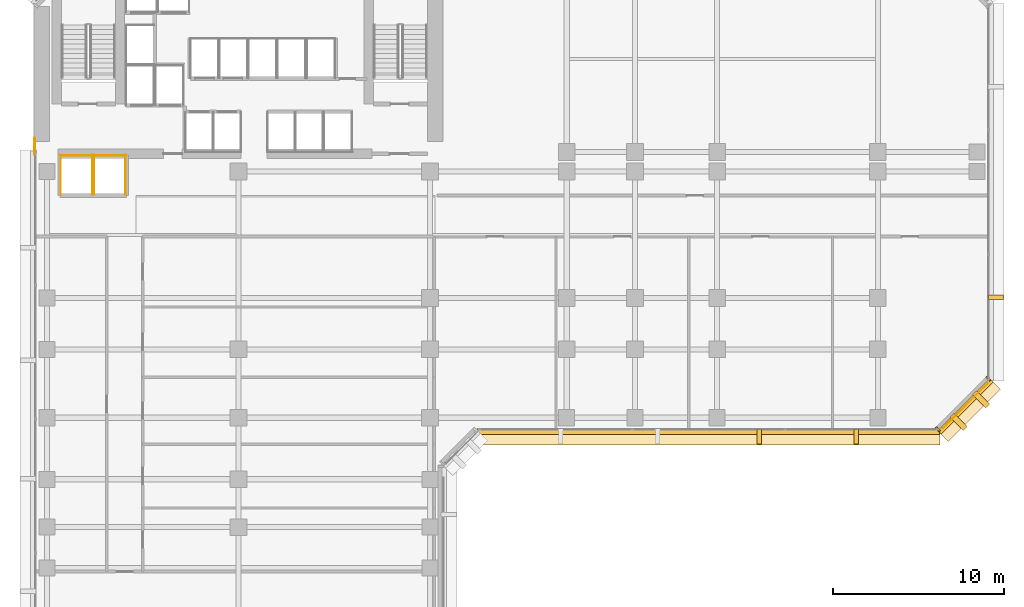
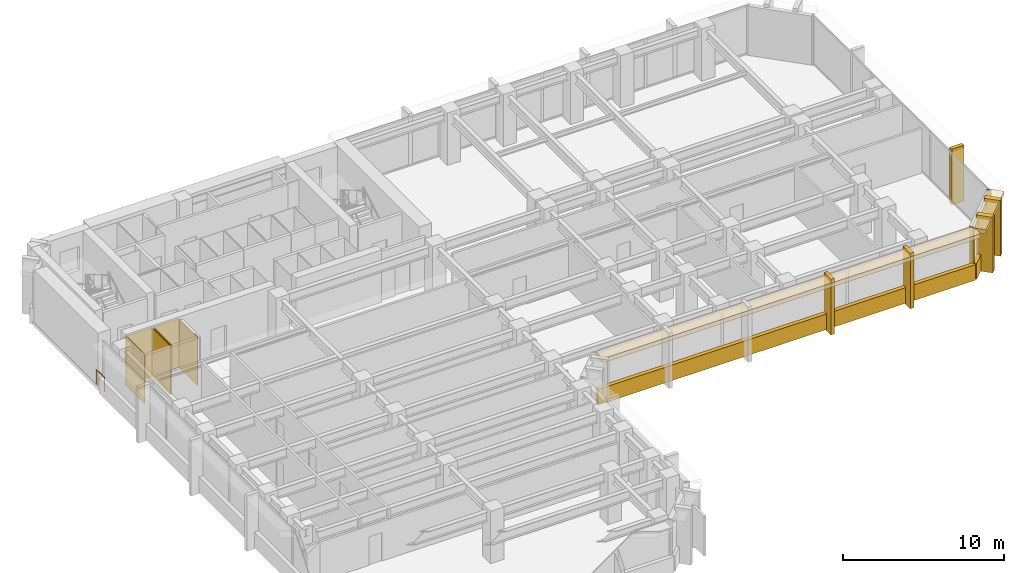
# One storey, part 10 of 13: 18 coverings, 1 railing.
"""IFC4 building model written with IfcOpenShell, lengths in metres."""

from ifc_helpers import new_model, si_unit, direction, frame, origin, origin_2d, place, context, subcontext, project, spatial, polyline, rectangle, circle, outline, extrude, material, layer, layer_set, type_object, element, save


model = new_model("IFC4")

# Units and contexts
model_context = context("Model", 3, precision=1e-05, world=origin(), true_north=direction((0.0, 1.0)))
body_context = subcontext(model_context, "Body", "Model", "MODEL_VIEW")
ifc_project = project(units=[si_unit("LENGTHUNIT", "METRE"), si_unit("AREAUNIT", "SQUARE_METRE"), si_unit("VOLUMEUNIT", "CUBIC_METRE"), si_unit("PLANEANGLEUNIT", "RADIAN"), si_unit("MASSUNIT", "GRAM", prefix="KILO")], contexts=[model_context])

# Site, building, storey
site_placement = place(None, origin())
site = spatial("IfcSite", under=ifc_project, at=site_placement, CompositionType="ELEMENT")
building_placement = place(site_placement, origin())
building = spatial("IfcBuilding", under=site, at=building_placement, Name="Kefirva Bronze Tower", CompositionType="ELEMENT")
storey_placement = place(building_placement, frame((0.0, 0.0, 85.800048828125)))
storey = spatial("IfcBuildingStorey", under=building, at=storey_placement, Name="L20", CompositionType="ELEMENT", Elevation=85.800048828125)

# Coverings
ifc_material_1 = material(Name="Bronze anodised aluminium", Category="aluminium")
ifc_layer_1 = layer(ifc_material_1, 0.02001953125, Name="Bronze anodised aluminium")
ifc_layer_set_1 = layer_set([ifc_layer_1], Name="Bronze anodised aluminium")
covering_type_1 = type_object("IfcCoveringType", Name="Anodised Bronze Spandrel Cladding 20mm", PredefinedType="CLADDING", material=ifc_layer_set_1)
covering_1_placement = place(storey_placement, frame((39.5, 17.9599609375, -0.16015625), z_axis=(0.0, 0.0, 1.0), x_axis=(1.0, 0.0, 0.0)))
element("IfcCovering", 1, at=covering_1_placement, inside=storey, type_object=covering_type_1, Name="L20 Streamline Horizontal Spandrel Band 4", PredefinedType="CLADDING", context=body_context, shape_type="SweptSolid", body=[
    extrude(rectangle(XDim=27.0400390625, YDim=0.280029296875, at=origin_2d()), origin(), (0.0, 0.0, 1.0), 1.179931640625),
])
covering_2_placement = place(storey_placement, frame((54.507080078125, 19.492919921875, 3.2900390625), z_axis=(0.0, 0.0, 1.0), x_axis=(0.707106781187, 0.707106781187, 0.0)))
element("IfcCovering", 2, at=covering_2_placement, inside=storey, type_object=covering_type_1, Name="L20 Bronze Spandrel Cladding 4", PredefinedType="CLADDING", context=body_context, shape_type="SweptSolid", body=[
    extrude(rectangle(XDim=3.719482421875, YDim=0.02001953125, at=origin_2d()), origin(), (0.0, 0.0, 1.0), 0.39990234375),
])
for number, where, z_axis, x_axis, name in (
    (3, (52.91162109375, 18.137939453125, 0.0), (0.0, 0.0, 1.0), (0.707106781187, 0.707106781187, 0.0), "L20 Facade Joint Closure Panel 4S"),
    (4, (55.862060546875, 21.08837890625, 0.0), (0.0, 0.0, 1.0), (0.707106781187, 0.707106781187, 0.0), "L20 Facade Joint Closure Panel 4E"),
):
    element("IfcCovering", number, at=place(storey_placement, frame(where, z_axis=z_axis, x_axis=x_axis)), inside=storey, type_object=covering_type_1, Name=name, PredefinedType="CLADDING", context=body_context, shape_type="SweptSolid", body=[
        extrude(rectangle(XDim=0.10009765625, YDim=0.320068359375, at=origin_2d()), origin(), (0.0, 0.0, 1.0), 3.7099609375),
    ])
covering_3_placement = place(storey_placement, frame((54.5283203125, 19.4716796875, -0.16015625), z_axis=(0.0, 0.0, 1.0), x_axis=(0.707106781187, 0.707106781187, 0.0)))
element("IfcCovering", 5, at=covering_3_placement, inside=storey, type_object=covering_type_1, Name="L20 Streamline Horizontal Spandrel Band 5", PredefinedType="CLADDING", context=body_context, shape_type="SweptSolid", body=[
    extrude(rectangle(XDim=4.28271484375, YDim=0.280029296875, at=origin_2d()), origin(), (0.0, 0.0, 1.0), 1.179931640625),
])
covering_4_placement = place(storey_placement, origin())
element("IfcCovering", 6, at=covering_4_placement, inside=storey, type_object=covering_type_1, Name="L20 Lift OB1 Hoistway Liner N", PredefinedType="CLADDING", context=body_context, shape_type="SweptSolid", body=[
    extrude(outline(polyline([(1.580078125, 34.139892578125), (3.469970703125, 34.139892578125), (3.469970703125, 34.159912109375), (1.580078125, 34.159912109375), (1.580078125, 34.139892578125)])), origin(), (0.0, 0.0, 1.0), 3.7099609375),
])
covering_5_placement = place(storey_placement, origin())
element("IfcCovering", 7, at=covering_5_placement, inside=storey, type_object=covering_type_1, Name="L20 Lift OB1 Hoistway Liner W", PredefinedType="CLADDING", context=body_context, shape_type="SweptSolid", body=[
    extrude(outline(polyline([(1.590087890625, 31.830078125), (1.610107421875, 31.830078125), (1.610107421875, 34.169921875), (1.590087890625, 34.169921875), (1.590087890625, 31.830078125)])), origin(), (0.0, 0.0, 1.0), 3.7099609375),
])
covering_6_placement = place(storey_placement, origin())
element("IfcCovering", 8, at=covering_6_placement, inside=storey, type_object=covering_type_1, Name="L20 Lift OB1 Hoistway Liner E", PredefinedType="CLADDING", context=body_context, shape_type="SweptSolid", body=[
    extrude(outline(polyline([(3.43994140625, 31.830078125), (3.4599609375, 31.830078125), (3.4599609375, 34.169921875), (3.43994140625, 34.169921875), (3.43994140625, 31.830078125)])), origin(), (0.0, 0.0, 1.0), 3.7099609375),
])
covering_7_placement = place(storey_placement, origin())
element("IfcCovering", 9, at=covering_7_placement, inside=storey, type_object=covering_type_1, Name="L20 Lift OB2 Hoistway Liner N", PredefinedType="CLADDING", context=body_context, shape_type="SweptSolid", body=[
    extrude(outline(polyline([(3.530029296875, 34.139892578125), (5.419921875, 34.139892578125), (5.419921875, 34.159912109375), (3.530029296875, 34.159912109375), (3.530029296875, 34.139892578125)])), origin(), (0.0, 0.0, 1.0), 3.7099609375),
])
covering_8_placement = place(storey_placement, origin())
element("IfcCovering", 10, at=covering_8_placement, inside=storey, type_object=covering_type_1, Name="L20 Lift OB2 Hoistway Liner W", PredefinedType="CLADDING", context=body_context, shape_type="SweptSolid", body=[
    extrude(outline(polyline([(3.5400390625, 31.830078125), (3.56005859375, 31.830078125), (3.56005859375, 34.169921875), (3.5400390625, 34.169921875), (3.5400390625, 31.830078125)])), origin(), (0.0, 0.0, 1.0), 3.7099609375),
])
covering_9_placement = place(storey_placement, origin())
element("IfcCovering", 11, at=covering_9_placement, inside=storey, type_object=covering_type_1, Name="L20 Lift OB2 Hoistway Liner E", PredefinedType="CLADDING", context=body_context, shape_type="SweptSolid", body=[
    extrude(outline(polyline([(5.389892578125, 31.830078125), (5.409912109375, 31.830078125), (5.409912109375, 34.169921875), (5.389892578125, 34.169921875), (5.389892578125, 31.830078125)])), origin(), (0.0, 0.0, 1.0), 3.7099609375),
])

# Railing
ifc_material_2 = material(Name="Stainless steel 316", Category="steel")
railing_type = type_object("IfcRailingType", Name="Interior Stair Guardrail 1100mm", PredefinedType="GUARDRAIL", material=ifc_material_2)
railing_placement = place(storey_placement, frame((0.080078125, 34.199951171875, 0.0)))
element("IfcRailing", 12, at=railing_placement, inside=storey, type_object=railing_type, Name="L20 West Core Junction Guardrail", PredefinedType="GUARDRAIL", context=body_context, shape_type="SweptSolid", body=[
    extrude(circle(Radius=0.02392578125, at=origin_2d()), frame((0.0, 0.0, 1.076171875), z_axis=(0.0, 1.0, 0.0), x_axis=(-1.0, 0.0, 0.0)), (0.0, 0.0, 1.0), 0.949951171875),
    extrude(circle(Radius=0.02099609375, at=origin_2d()), origin(), (0.0, 0.0, 1.0), 1.052001953125),
    extrude(circle(Radius=0.02099609375, at=origin_2d()), frame((0.0, 0.949951171875, 0.0)), (0.0, 0.0, 1.0), 1.052001953125),
])

# Coverings
ifc_layer_2 = layer(ifc_material_1, 0.179931640625, Name="Bronze anodised aluminium")
ifc_layer_set_2 = layer_set([ifc_layer_2], Name="Bronze anodised aluminium")
covering_type_2 = type_object("IfcCoveringType", Name="Streamline Bronze Sunshade Eyebrow Cladding 180mm", PredefinedType="CLADDING", material=ifc_layer_set_2)
covering_10_placement = place(storey_placement, frame((39.5, 17.68994140625, 3.39013671875), z_axis=(0.0, 0.0, 1.0), x_axis=(1.0, 0.0, 0.0)))
element("IfcCovering", 13, at=covering_10_placement, inside=storey, type_object=covering_type_2, Name="L20 Streamline Bronze Sunshade Eyebrow 4", PredefinedType="CLADDING", context=body_context, shape_type="SweptSolid", body=[
    extrude(rectangle(XDim=27.080078125, YDim=0.93994140625, at=origin_2d()), origin(), (0.0, 0.0, 1.0), 0.320068359375),
])
covering_11_placement = place(storey_placement, frame((54.71923828125, 19.28076171875, 3.39013671875), z_axis=(0.0, 0.0, 1.0), x_axis=(0.707106781187, 0.707106781187, 0.0)))
element("IfcCovering", 14, at=covering_11_placement, inside=storey, type_object=covering_type_2, Name="L20 Streamline Bronze Sunshade Eyebrow 5", PredefinedType="CLADDING", context=body_context, shape_type="SweptSolid", body=[
    extrude(rectangle(XDim=4.322509765625, YDim=0.93994140625, at=origin_2d()), origin(), (0.0, 0.0, 1.0), 0.320068359375),
])
ifc_layer_3 = layer(ifc_material_1, 0.260009765625, Name="Bronze anodised aluminium")
ifc_layer_set_3 = layer_set([ifc_layer_3], Name="Bronze anodised aluminium")
covering_type_3 = type_object("IfcCoveringType", Name="Unbroken Bronze Buttress Fin Cladding 260mm", PredefinedType="CLADDING", material=ifc_layer_set_3)
for number, where, z_axis, x_axis, name in (
    (15, (42.469970703125, 17.699951171875, -0.25), (0.0, 0.0, 1.0), (1.0, 0.0, 0.0), "L20 Unbroken Vertical Bronze Rib Fin 11"),
    (16, (48.139892578125, 17.699951171875, -0.25), (0.0, 0.0, 1.0), (1.0, 0.0, 0.0), "L20 Unbroken Vertical Bronze Rib Fin 12"),
):
    element("IfcCovering", number, at=place(storey_placement, frame(where, z_axis=z_axis, x_axis=x_axis)), inside=storey, type_object=covering_type_3, Name=name, PredefinedType="CLADDING", context=body_context, shape_type="SweptSolid", body=[
        extrude(rectangle(XDim=0.260009765625, YDim=0.8798828125, at=origin_2d()), origin(), (0.0, 0.0, 1.0), 4.2099609375),
    ])
for number, where, z_axis, x_axis, name in (
    (17, (54.122802734375, 18.55712890625, -0.25), (0.0, 0.0, 1.0), (0.707106781187, 0.707106781187, 0.0), "L20 Chamfered Corner Buttress Fin Cladding 13"),
    (18, (55.44287109375, 19.877197265625, -0.25), (0.0, 0.0, 1.0), (0.707106781187, 0.707106781187, 0.0), "L20 Chamfered Corner Buttress Fin Cladding 14"),
):
    element("IfcCovering", number, at=place(storey_placement, frame(where, z_axis=z_axis, x_axis=x_axis)), inside=storey, type_object=covering_type_3, Name=name, PredefinedType="CLADDING", context=body_context, shape_type="SweptSolid", body=[
        extrude(rectangle(XDim=0.340087890625, YDim=1.080078125, at=origin_2d()), origin(), (0.0, 0.0, 1.0), 4.2099609375),
    ])
covering_12_placement = place(storey_placement, frame((56.300048828125, 25.840087890625, -0.25), z_axis=(0.0, 0.0, 1.0), x_axis=(0.0, 1.0, 0.0)))
element("IfcCovering", 19, at=covering_12_placement, inside=storey, type_object=covering_type_3, Name="L20 Unbroken Vertical Bronze Rib Fin 15", PredefinedType="CLADDING", context=body_context, shape_type="SweptSolid", body=[
    extrude(rectangle(XDim=0.260009765625, YDim=0.8798828125, at=origin_2d()), origin(), (0.0, 0.0, 1.0), 4.2099609375),
])

save(model, "model.ifc")
